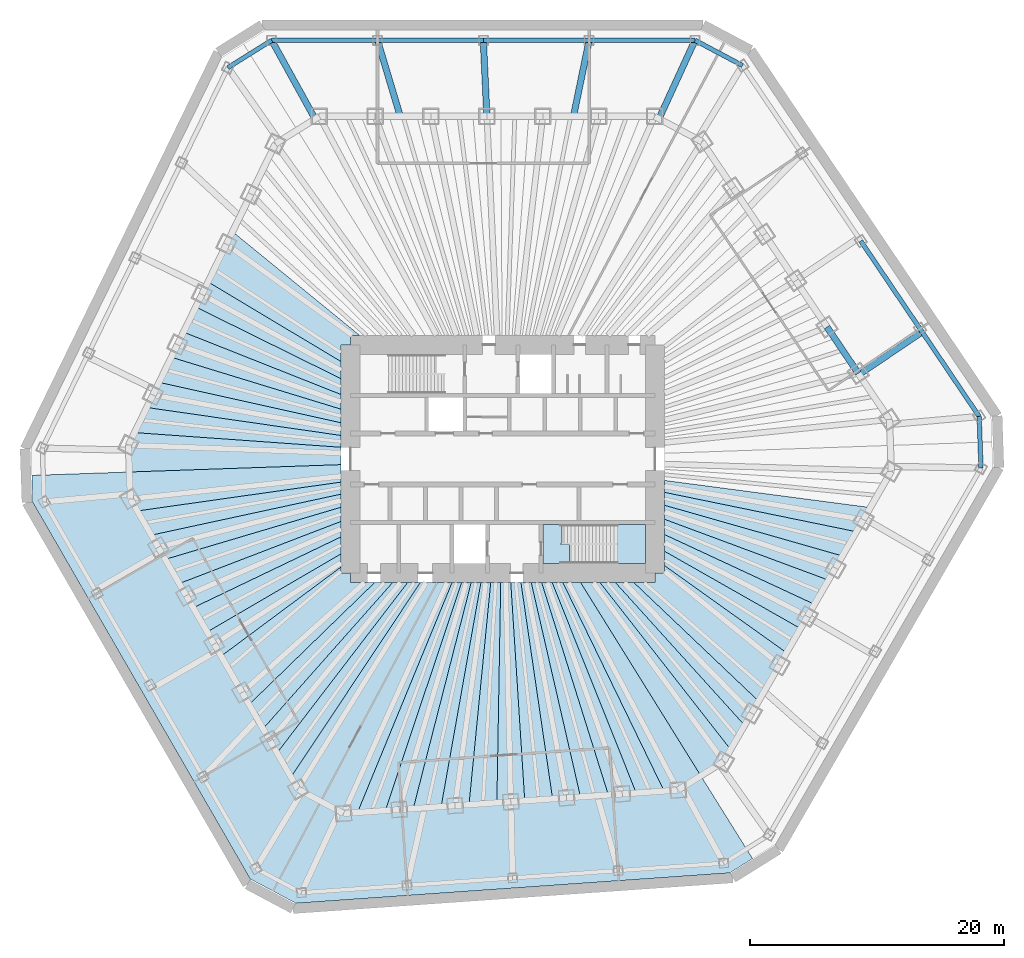
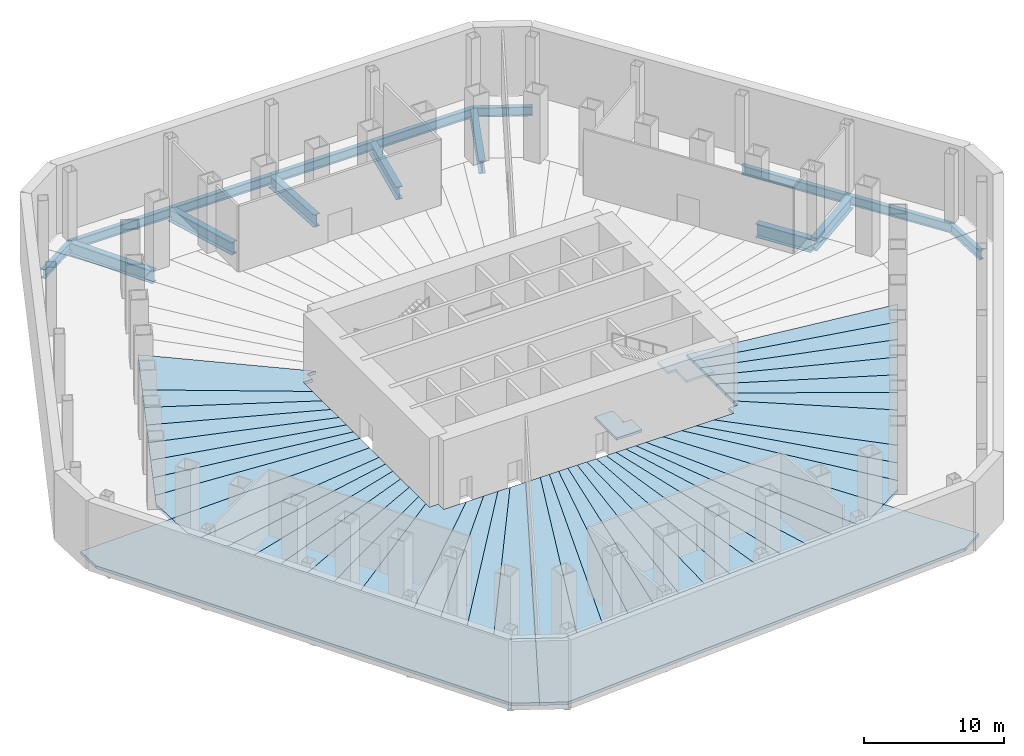
# One storey, part 4 of 8: 47 slabs, 16 beams, 1 element without a shape of its own.
"""IFC4 building model written with IfcOpenShell, lengths in metres."""

from ifc_helpers import new_model, si_unit, direction, frame, origin, origin_2d, place, context, subcontext, project, spatial, polyline, i_section, outline, extrude, material, layer, layer_set, material_profile, profile_set, type_object, element, aggregate, save


model = new_model("IFC4")

# Units and contexts
model_context = context("Model", 3, precision=1e-05, world=origin(), true_north=direction((0.0, 1.0)))
body_context = subcontext(model_context, "Body", "Model", "MODEL_VIEW")
ifc_project = project(units=[si_unit("LENGTHUNIT", "METRE"), si_unit("AREAUNIT", "SQUARE_METRE"), si_unit("VOLUMEUNIT", "CUBIC_METRE"), si_unit("PLANEANGLEUNIT", "RADIAN"), si_unit("MASSUNIT", "GRAM", prefix="KILO")], contexts=[model_context])

# Site, building, storey
site_placement = place(None, origin())
site = spatial("IfcSite", under=ifc_project, at=site_placement, CompositionType="ELEMENT")
building_placement = place(site_placement, origin())
building = spatial("IfcBuilding", under=site, at=building_placement, Name="Qingtian Harvest Tower", CompositionType="ELEMENT")
storey_placement = place(building_placement, frame((0.0, 0.0, -6.0)))
storey = spatial("IfcBuildingStorey", under=building, at=storey_placement, Name="B1", CompositionType="ELEMENT", Elevation=-6.0)

# Beams
ifc_material_1 = material(Name="Steel SM570MC", Category="steel")
ifc_material_profile_1 = material_profile(ifc_material_1, i_section(OverallWidth=0.5, OverallDepth=1.10009765625, WebThickness=0.02490234375, FlangeThickness=0.050048828125, at=origin_2d()), Name="H1100x500x25x50")
ifc_profile_set_1 = profile_set([ifc_material_profile_1], Name="Steel SM570MC")
beam_type_1 = type_object("IfcBeamType", Name="Floor beam FB6 H1100x500x25x50", PredefinedType="BEAM", material=ifc_profile_set_1)
beam_1_placement = place(storey_placement, frame((-18.220703125, 33.0, -0.800048828125), z_axis=(0.483365161377, -0.875418825915, 0.0), x_axis=(0.875418825915, 0.483365161377, 0.0)))
element("IfcBeam", 1, at=beam_1_placement, inside=storey, type_object=beam_type_1, Name="Podium floor beam FB6 N0", PredefinedType="BEAM", context=body_context, shape_type="SweptSolid", body=[
    extrude(i_section(OverallWidth=0.5, OverallDepth=1.10009765625, WebThickness=0.02490234375, FlangeThickness=0.050048828125, at=origin_2d()), origin(), (0.0, 0.0, 1.0), 7.08544921875),
])
beam_2_placement = place(storey_placement, frame((-9.87890625, 33.0, -0.800048828125), z_axis=(0.286782790718, -0.957995632009, 0.0), x_axis=(0.957995632009, 0.286782790718, 0.0)))
element("IfcBeam", 2, at=beam_2_placement, inside=storey, type_object=beam_type_1, Name="Podium floor beam FB6 N1", PredefinedType="BEAM", context=body_context, shape_type="SweptSolid", body=[
    extrude(i_section(OverallWidth=0.5, OverallDepth=1.10009765625, WebThickness=0.02490234375, FlangeThickness=0.050048828125, at=origin_2d()), origin(), (0.0, 0.0, 1.0), 6.26318359375),
])
beam_3_placement = place(storey_placement, frame((-1.537109375, 33.0, -0.800048828125), z_axis=(0.046539686109, -0.998916441759, 0.0), x_axis=(0.998916441759, 0.046539686109, 0.0)))
element("IfcBeam", 3, at=beam_3_placement, inside=storey, type_object=beam_type_1, Name="Podium floor beam FB6 N2", PredefinedType="BEAM", context=body_context, shape_type="SweptSolid", body=[
    extrude(i_section(OverallWidth=0.5, OverallDepth=1.10009765625, WebThickness=0.02490234375, FlangeThickness=0.050048828125, at=origin_2d()), origin(), (0.0, 0.0, 1.0), 6.006591796875),
])
beam_4_placement = place(storey_placement, frame((6.8046875, 33.0, -0.800048828125), z_axis=(-0.201967754187, -0.979392171844, 0.0), x_axis=(0.979392171844, -0.201967754187, 0.0)))
element("IfcBeam", 4, at=beam_4_placement, inside=storey, type_object=beam_type_1, Name="Podium floor beam FB6 N3", PredefinedType="BEAM", context=body_context, shape_type="SweptSolid", body=[
    extrude(i_section(OverallWidth=0.5, OverallDepth=1.10009765625, WebThickness=0.02490234375, FlangeThickness=0.050048828125, at=origin_2d()), origin(), (0.0, 0.0, 1.0), 6.126220703125),
])
beam_5_placement = place(storey_placement, frame((15.146484375, 33.0, -0.800048828125), z_axis=(-0.417153576737, -0.908836010189, 0.0), x_axis=(0.908836010189, -0.417153576737, 0.0)))
element("IfcBeam", 5, at=beam_5_placement, inside=storey, type_object=beam_type_1, Name="Podium floor beam FB6 N4", PredefinedType="BEAM", context=body_context, shape_type="SweptSolid", body=[
    extrude(i_section(OverallWidth=0.5, OverallDepth=1.10009765625, WebThickness=0.02490234375, FlangeThickness=0.050048828125, at=origin_2d()), origin(), (0.0, 0.0, 1.0), 6.80712890625),
])
beam_6_placement = place(storey_placement, frame((33.05029296875, 10.0146484375, -0.800048828125), z_axis=(-0.829039666934, -0.559189798414, 0.0), x_axis=(0.559189798414, -0.829039666934, 0.0)))
element("IfcBeam", 6, at=beam_6_placement, inside=storey, type_object=beam_type_1, Name="Podium floor beam FB6 NE3", PredefinedType="BEAM", context=body_context, shape_type="SweptSolid", body=[
    extrude(i_section(OverallWidth=0.5, OverallDepth=1.10009765625, WebThickness=0.02490234375, FlangeThickness=0.050048828125, at=origin_2d()), origin(), (0.0, 0.0, 1.0), 6.000244140625),
])
ifc_material_2 = material(Name="Steel SN490B", Category="steel")
ifc_material_profile_2 = material_profile(ifc_material_2, i_section(OverallWidth=0.35009765625, OverallDepth=0.800048828125, WebThickness=0.01611328125, FlangeThickness=0.028076171875, at=origin_2d()), Name="H800x350x16x28")
ifc_profile_set_2 = profile_set([ifc_material_profile_2], Name="Steel SN490B")
beam_type_2 = type_object("IfcBeamType", Name="Podium beam PB1 H800x350x16x28", PredefinedType="BEAM", material=ifc_profile_set_2)
for number, where, z_axis, x_axis, name in (
    (7, (-18.220703125, 33.0, -0.64990234375), (1.0, 0.0, 0.0), (0.0, 1.0, 0.0), "Podium edge beam PB1 N0"),
    (8, (-9.87890625, 33.0, -0.64990234375), (1.0, 0.0, 0.0), (0.0, 1.0, 0.0), "Podium edge beam PB1 N1"),
    (9, (-1.537109375, 33.0, -0.64990234375), (1.0, 0.0, 0.0), (0.0, 1.0, 0.0), "Podium edge beam PB1 N2"),
    (10, (6.8046875, 33.0, -0.64990234375), (1.0, 0.0, 0.0), (0.0, 1.0, 0.0), "Podium edge beam PB1 N3"),
):
    element("IfcBeam", number, at=place(storey_placement, frame(where, z_axis=z_axis, x_axis=x_axis)), inside=storey, type_object=beam_type_2, Name=name, PredefinedType="BEAM", context=body_context, shape_type="SweptSolid", body=[
        extrude(i_section(OverallWidth=0.35009765625, OverallDepth=0.800048828125, WebThickness=0.01611328125, FlangeThickness=0.028076171875, at=origin_2d()), origin(), (0.0, 0.0, 1.0), 8.341796875),
    ])
beam_7_placement = place(storey_placement, frame((15.146484375, 33.0, -0.64990234375), z_axis=(0.882935902835, -0.469493547863, 0.0), x_axis=(0.469493547863, 0.882935902835, 0.0)))
element("IfcBeam", 11, at=beam_7_placement, inside=storey, type_object=beam_type_2, Name="Podium edge beam PB1 N4", PredefinedType="BEAM", context=body_context, shape_type="SweptSolid", body=[
    extrude(i_section(OverallWidth=0.35009765625, OverallDepth=0.800048828125, WebThickness=0.01611328125, FlangeThickness=0.028076171875, at=origin_2d()), origin(), (0.0, 0.0, 1.0), 4.238037109375),
])
for number, where, z_axis, x_axis, name in (
    (12, (28.2177734375, 17.178955078125, -0.64990234375), (0.559210439086, -0.829025744363, 0.0), (0.829025744363, 0.559210439086, 0.0), "Podium edge beam PB1 NE2"),
    (13, (32.882568359375, 10.263427734375, -0.64990234375), (0.559176755628, -0.829048464183, 0.0), (0.829048464183, 0.559176755628, 0.0), "Podium edge beam PB1 NE3"),
):
    element("IfcBeam", number, at=place(storey_placement, frame(where, z_axis=z_axis, x_axis=x_axis)), inside=storey, type_object=beam_type_2, Name=name, PredefinedType="BEAM", context=body_context, shape_type="SweptSolid", body=[
        extrude(i_section(OverallWidth=0.35009765625, OverallDepth=0.800048828125, WebThickness=0.01611328125, FlangeThickness=0.028076171875, at=origin_2d()), origin(), (0.0, 0.0, 1.0), 8.341796875),
    ])
beam_8_placement = place(storey_placement, frame((37.547119140625, 3.34765625, -0.64990234375), z_axis=(0.03490639867, -0.999390585973, 0.0), x_axis=(0.999390585973, 0.03490639867, 0.0)))
element("IfcBeam", 14, at=beam_8_placement, inside=storey, type_object=beam_type_2, Name="Podium edge beam PB1 NE4", PredefinedType="BEAM", context=body_context, shape_type="SweptSolid", body=[
    extrude(i_section(OverallWidth=0.35009765625, OverallDepth=0.800048828125, WebThickness=0.01611328125, FlangeThickness=0.028076171875, at=origin_2d()), origin(), (0.0, 0.0, 1.0), 4.070556640625),
])
beam_9_placement = place(storey_placement, frame((-21.6728515625, 30.8427734375, -0.64990234375), z_axis=(0.848038733752, 0.529934246919, 0.0), x_axis=(-0.529934246919, 0.848038733752, 0.0)))
element("IfcBeam", 15, at=beam_9_placement, inside=storey, type_object=beam_type_2, Name="Podium edge beam PB1 NW4", PredefinedType="BEAM", context=body_context, shape_type="SweptSolid", body=[
    extrude(i_section(OverallWidth=0.35009765625, OverallDepth=0.800048828125, WebThickness=0.01611328125, FlangeThickness=0.028076171875, at=origin_2d()), origin(), (0.0, 0.0, 1.0), 4.07080078125),
])
ifc_material_3 = material(Name="Steel SM570MC", Category="steel")
ifc_material_profile_3 = material_profile(ifc_material_3, i_section(OverallWidth=0.5, OverallDepth=1.199951171875, WebThickness=0.02490234375, FlangeThickness=0.050048828125, at=origin_2d()), Name="H1200x500x25x50")
ifc_profile_set_3 = profile_set([ifc_material_profile_3], Name="Steel SM570MC")
beam_type_3 = type_object("IfcBeamType", Name="Spandrel beam SB1 H1200x500x25x50", PredefinedType="SPANDREL", material=ifc_profile_set_3)
beam_10_placement = place(storey_placement, frame((25.55029296875, 10.404052734375, -0.85009765625), z_axis=(0.559207231603, -0.829027907928, 0.0), x_axis=(0.829027907928, 0.559207231603, 0.0)))
element("IfcBeam", 16, at=beam_10_placement, inside=storey, type_object=beam_type_3, Name="Spandrel SB1 NE4", PredefinedType="SPANDREL", context=body_context, shape_type="SweptSolid", body=[
    extrude(i_section(OverallWidth=0.5, OverallDepth=1.199951171875, WebThickness=0.02490234375, FlangeThickness=0.050048828125, at=origin_2d()), origin(), (0.0, 0.0, 1.0), 4.40478515625),
])

# Slabs
ifc_material_4 = material(Name="Concrete fc' 35 MPa", Category="concrete")
ifc_layer_1 = layer(ifc_material_4, 0.25)
ifc_layer_set_1 = layer_set([ifc_layer_1], Name="Composite floor slab FS25 250")
slab_type_1 = type_object("IfcSlabType", Name="Composite floor slab FS25 250", PredefinedType="FLOOR", material=ifc_layer_set_1)
slab_1_placement = place(storey_placement, frame((0.0, 0.0, -0.25)))
element("IfcSlab", 17, at=slab_1_placement, inside=storey, type_object=slab_type_1, Name="Floor slab B1 panel DPS", PredefinedType="FLOOR", context=body_context, shape_type="SweptSolid", body=[
    extrude(outline(polyline([(-18.1142578125, -34.068115234375), (-14.349853515625, -26.98828125), (-12.552734375, -27.943603515625), (13.810546875, -26.10009765625), (15.607421875, -24.977294921875), (19.688720703125, -31.508544921875), (17.8916015625, -32.63134765625), (-16.317138671875, -35.0234375), (-18.1142578125, -34.068115234375)])), origin(), (0.0, 0.0, 1.0), 0.25),
])
slab_2_placement = place(storey_placement, frame((0.0, 0.0, -0.25)))
element("IfcSlab", 18, at=slab_2_placement, inside=storey, type_object=slab_type_1, Name="Floor slab B1 panel DPSW", PredefinedType="FLOOR", context=body_context, shape_type="SweptSolid", body=[
    extrude(outline(polyline([(-37.131591796875, -1.296630859375), (-29.434814453125, -1.02783203125), (-29.36083984375, -3.145751953125), (-16.14697265625, -26.03271484375), (-14.349853515625, -26.98828125), (-18.1142578125, -34.068115234375), (-19.911376953125, -33.112548828125), (-37.0576171875, -3.41455078125), (-37.131591796875, -1.296630859375)])), origin(), (0.0, 0.0, 1.0), 0.25),
])
slab_3_placement = place(storey_placement, frame((0.0, 0.0, -0.25)))
element("IfcSlab", 19, at=slab_3_placement, inside=storey, type_object=slab_type_1, Name="Floor slab B1 panel D01", PredefinedType="FLOOR", context=body_context, shape_type="SweptSolid", body=[
    extrude(outline(polyline([(-12.75, -0.447509765625), (-12.75, -1.822998046875), (-28.810302734375, -4.099365234375), (-29.36083984375, -3.145751953125), (-29.434814453125, -1.02783203125), (-12.75, -0.447509765625)])), origin(), (0.0, 0.0, 1.0), 0.25),
])
slab_4_placement = place(storey_placement, frame((0.0, 0.0, -0.25)))
element("IfcSlab", 20, at=slab_4_placement, inside=storey, type_object=slab_type_1, Name="Floor slab B1 panel D02", PredefinedType="FLOOR", context=body_context, shape_type="SweptSolid", body=[
    extrude(outline(polyline([(-12.75, -2.773681640625), (-27.708984375, -6.006591796875), (-28.810302734375, -4.099365234375), (-12.75, -1.822998046875), (-12.75, -2.773681640625)])), origin(), (0.0, 0.0, 1.0), 0.25),
])
slab_5_placement = place(storey_placement, frame((0.0, 0.0, -0.25)))
element("IfcSlab", 21, at=slab_5_placement, inside=storey, type_object=slab_type_1, Name="Floor slab B1 panel D03", PredefinedType="FLOOR", context=body_context, shape_type="SweptSolid", body=[
    extrude(outline(polyline([(-12.75, -3.80322265625), (-26.60791015625, -7.913818359375), (-27.708984375, -6.006591796875), (-12.75, -2.773681640625), (-12.75, -3.80322265625)])), origin(), (0.0, 0.0, 1.0), 0.25),
])
slab_6_placement = place(storey_placement, frame((0.0, 0.0, -0.25)))
element("IfcSlab", 22, at=slab_6_placement, inside=storey, type_object=slab_type_1, Name="Floor slab B1 panel D04", PredefinedType="FLOOR", context=body_context, shape_type="SweptSolid", body=[
    extrude(outline(polyline([(-12.75, -4.921875), (-25.5068359375, -9.821044921875), (-26.60791015625, -7.913818359375), (-12.75, -3.80322265625), (-12.75, -4.921875)])), origin(), (0.0, 0.0, 1.0), 0.25),
])
slab_7_placement = place(storey_placement, frame((0.0, 0.0, -0.25)))
element("IfcSlab", 23, at=slab_7_placement, inside=storey, type_object=slab_type_1, Name="Floor slab B1 panel D05", PredefinedType="FLOOR", context=body_context, shape_type="SweptSolid", body=[
    extrude(outline(polyline([(-12.75, -6.141357421875), (-24.405517578125, -11.728271484375), (-25.5068359375, -9.821044921875), (-12.75, -4.921875), (-12.75, -6.141357421875)])), origin(), (0.0, 0.0, 1.0), 0.25),
])
slab_8_placement = place(storey_placement, frame((0.0, 0.0, -0.25)))
element("IfcSlab", 24, at=slab_8_placement, inside=storey, type_object=slab_type_1, Name="Floor slab B1 panel D06", PredefinedType="FLOOR", context=body_context, shape_type="SweptSolid", body=[
    extrude(outline(polyline([(-12.75, -7.4765625), (-23.304443359375, -13.635498046875), (-24.405517578125, -11.728271484375), (-12.75, -6.141357421875), (-12.75, -7.4765625)])), origin(), (0.0, 0.0, 1.0), 0.25),
])
slab_9_placement = place(storey_placement, frame((0.0, 0.0, -0.25)))
element("IfcSlab", 25, at=slab_9_placement, inside=storey, type_object=slab_type_1, Name="Floor slab B1 panel D07", PredefinedType="FLOOR", context=body_context, shape_type="SweptSolid", body=[
    extrude(outline(polyline([(-12.75, -8.512451171875), (-22.203369140625, -15.542724609375), (-23.304443359375, -13.635498046875), (-12.75, -7.4765625), (-12.75, -8.512451171875)])), origin(), (0.0, 0.0, 1.0), 0.25),
])
slab_10_placement = place(storey_placement, frame((0.0, 0.0, -0.25)))
element("IfcSlab", 26, at=slab_10_placement, inside=storey, type_object=slab_type_1, Name="Floor slab B1 panel D09", PredefinedType="FLOOR", context=body_context, shape_type="SweptSolid", body=[
    extrude(outline(polyline([(-20.0009765625, -19.357177734375), (-22.203369140625, -15.542724609375), (-12.75, -8.512451171875), (-12.75, -9.0), (-12.0, -9.0), (-12.0, -9.75), (-10.1123046875, -9.75), (-20.0009765625, -19.357177734375)])), origin(), (0.0, 0.0, 1.0), 0.25),
])
slab_11_placement = place(storey_placement, frame((0.0, 0.0, -0.25)))
element("IfcSlab", 27, at=slab_11_placement, inside=storey, type_object=slab_type_1, Name="Floor slab B1 panel D10", PredefinedType="FLOOR", context=body_context, shape_type="SweptSolid", body=[
    extrude(outline(polyline([(-8.694580078125, -9.75), (-18.89990234375, -21.2646484375), (-20.0009765625, -19.357177734375), (-10.1123046875, -9.75), (-8.694580078125, -9.75)])), origin(), (0.0, 0.0, 1.0), 0.25),
])
slab_12_placement = place(storey_placement, frame((0.0, 0.0, -0.25)))
element("IfcSlab", 28, at=slab_12_placement, inside=storey, type_object=slab_type_1, Name="Floor slab B1 panel D11", PredefinedType="FLOOR", context=body_context, shape_type="SweptSolid", body=[
    extrude(outline(polyline([(-7.511474609375, -9.75), (-17.798583984375, -23.171875), (-18.89990234375, -21.2646484375), (-8.694580078125, -9.75), (-7.511474609375, -9.75)])), origin(), (0.0, 0.0, 1.0), 0.25),
])
slab_13_placement = place(storey_placement, frame((0.0, 0.0, -0.25)))
element("IfcSlab", 29, at=slab_13_placement, inside=storey, type_object=slab_type_1, Name="Floor slab B1 panel D12", PredefinedType="FLOOR", context=body_context, shape_type="SweptSolid", body=[
    extrude(outline(polyline([(-6.509033203125, -9.75), (-16.697509765625, -25.0791015625), (-17.798583984375, -23.171875), (-7.511474609375, -9.75), (-6.509033203125, -9.75)])), origin(), (0.0, 0.0, 1.0), 0.25),
])
slab_14_placement = place(storey_placement, frame((0.0, 0.0, -0.25)))
element("IfcSlab", 30, at=slab_14_placement, inside=storey, type_object=slab_type_1, Name="Floor slab B1 panel D13", PredefinedType="FLOOR", context=body_context, shape_type="SweptSolid", body=[
    extrude(outline(polyline([(-6.509033203125, -9.75), (-5.213623046875, -9.75), (-14.349853515625, -26.98828125), (-16.14697265625, -26.03271484375), (-16.697509765625, -25.0791015625), (-6.509033203125, -9.75)])), origin(), (0.0, 0.0, 1.0), 0.25),
])
slab_15_placement = place(storey_placement, frame((0.0, 0.0, -0.25)))
element("IfcSlab", 31, at=slab_15_placement, inside=storey, type_object=slab_type_1, Name="Floor slab B1 panel D14", PredefinedType="FLOOR", context=body_context, shape_type="SweptSolid", body=[
    extrude(outline(polyline([(-5.213623046875, -9.75), (-4.006591796875, -9.75), (-11.454345703125, -27.866943359375), (-12.552734375, -27.943603515625), (-14.349853515625, -26.98828125), (-5.213623046875, -9.75)])), origin(), (0.0, 0.0, 1.0), 0.25),
])
slab_16_placement = place(storey_placement, frame((0.0, 0.0, -0.25)))
element("IfcSlab", 32, at=slab_16_placement, inside=storey, type_object=slab_type_1, Name="Floor slab B1 panel D15", PredefinedType="FLOOR", context=body_context, shape_type="SweptSolid", body=[
    extrude(outline(polyline([(-3.255859375, -9.75), (-9.25732421875, -27.71337890625), (-11.454345703125, -27.866943359375), (-4.006591796875, -9.75), (-3.255859375, -9.75)])), origin(), (0.0, 0.0, 1.0), 0.25),
])
slab_17_placement = place(storey_placement, frame((0.0, 0.0, -0.25)))
element("IfcSlab", 33, at=slab_17_placement, inside=storey, type_object=slab_type_1, Name="Floor slab B1 panel D16", PredefinedType="FLOOR", context=body_context, shape_type="SweptSolid", body=[
    extrude(outline(polyline([(-2.496826171875, -9.75), (-7.060546875, -27.5595703125), (-9.25732421875, -27.71337890625), (-3.255859375, -9.75), (-2.496826171875, -9.75)])), origin(), (0.0, 0.0, 1.0), 0.25),
])
slab_18_placement = place(storey_placement, frame((0.0, 0.0, -0.25)))
element("IfcSlab", 34, at=slab_18_placement, inside=storey, type_object=slab_type_1, Name="Floor slab B1 panel D17", PredefinedType="FLOOR", context=body_context, shape_type="SweptSolid", body=[
    extrude(outline(polyline([(-1.729248046875, -9.75), (-4.863525390625, -27.406005859375), (-7.060546875, -27.5595703125), (-2.496826171875, -9.75), (-1.729248046875, -9.75)])), origin(), (0.0, 0.0, 1.0), 0.25),
])
slab_19_placement = place(storey_placement, frame((0.0, 0.0, -0.25)))
element("IfcSlab", 35, at=slab_19_placement, inside=storey, type_object=slab_type_1, Name="Floor slab B1 panel D18", PredefinedType="FLOOR", context=body_context, shape_type="SweptSolid", body=[
    extrude(outline(polyline([(-0.952880859375, -9.75), (-2.66650390625, -27.25244140625), (-4.863525390625, -27.406005859375), (-1.729248046875, -9.75), (-0.952880859375, -9.75)])), origin(), (0.0, 0.0, 1.0), 0.25),
])
slab_20_placement = place(storey_placement, frame((0.0, 0.0, -0.25)))
element("IfcSlab", 36, at=slab_20_placement, inside=storey, type_object=slab_type_1, Name="Floor slab B1 panel D19", PredefinedType="FLOOR", context=body_context, shape_type="SweptSolid", body=[
    extrude(outline(polyline([(-0.16796875, -9.75), (-0.4697265625, -27.098876953125), (-2.66650390625, -27.25244140625), (-0.952880859375, -9.75), (-0.16796875, -9.75)])), origin(), (0.0, 0.0, 1.0), 0.25),
])
slab_21_placement = place(storey_placement, frame((0.0, 0.0, -0.25)))
element("IfcSlab", 37, at=slab_21_placement, inside=storey, type_object=slab_type_1, Name="Floor slab B1 panel D20", PredefinedType="FLOOR", context=body_context, shape_type="SweptSolid", body=[
    extrude(outline(polyline([(0.626220703125, -9.75), (1.727294921875, -26.945068359375), (-0.4697265625, -27.098876953125), (-0.16796875, -9.75), (0.626220703125, -9.75)])), origin(), (0.0, 0.0, 1.0), 0.25),
])
slab_22_placement = place(storey_placement, frame((0.0, 0.0, -0.25)))
element("IfcSlab", 38, at=slab_22_placement, inside=storey, type_object=slab_type_1, Name="Floor slab B1 panel D21", PredefinedType="FLOOR", context=body_context, shape_type="SweptSolid", body=[
    extrude(outline(polyline([(1.42919921875, -9.75), (3.92431640625, -26.79150390625), (1.727294921875, -26.945068359375), (0.626220703125, -9.75), (1.42919921875, -9.75)])), origin(), (0.0, 0.0, 1.0), 0.25),
])
slab_23_placement = place(storey_placement, frame((0.0, 0.0, -0.25)))
element("IfcSlab", 39, at=slab_23_placement, inside=storey, type_object=slab_type_1, Name="Floor slab B1 panel D22", PredefinedType="FLOOR", context=body_context, shape_type="SweptSolid", body=[
    extrude(outline(polyline([(2.24169921875, -9.75), (6.12109375, -26.637939453125), (3.92431640625, -26.79150390625), (1.42919921875, -9.75), (2.24169921875, -9.75)])), origin(), (0.0, 0.0, 1.0), 0.25),
])
slab_24_placement = place(storey_placement, frame((0.0, 0.0, -0.25)))
element("IfcSlab", 40, at=slab_24_placement, inside=storey, type_object=slab_type_1, Name="Floor slab B1 panel D23", PredefinedType="FLOOR", context=body_context, shape_type="SweptSolid", body=[
    extrude(outline(polyline([(3.0634765625, -9.75), (8.318115234375, -26.484375), (6.12109375, -26.637939453125), (2.24169921875, -9.75), (3.0634765625, -9.75)])), origin(), (0.0, 0.0, 1.0), 0.25),
])
slab_25_placement = place(storey_placement, frame((0.0, 0.0, -0.25)))
element("IfcSlab", 41, at=slab_25_placement, inside=storey, type_object=slab_type_1, Name="Floor slab B1 panel D24", PredefinedType="FLOOR", context=body_context, shape_type="SweptSolid", body=[
    extrude(outline(polyline([(3.894775390625, -9.75), (10.51513671875, -26.33056640625), (8.318115234375, -26.484375), (3.0634765625, -9.75), (3.894775390625, -9.75)])), origin(), (0.0, 0.0, 1.0), 0.25),
])
slab_26_placement = place(storey_placement, frame((0.0, 0.0, -0.25)))
element("IfcSlab", 42, at=slab_26_placement, inside=storey, type_object=slab_type_1, Name="Floor slab B1 panel D25", PredefinedType="FLOOR", context=body_context, shape_type="SweptSolid", body=[
    extrude(outline(polyline([(4.736083984375, -9.75), (12.7119140625, -26.177001953125), (10.51513671875, -26.33056640625), (3.894775390625, -9.75), (4.736083984375, -9.75)])), origin(), (0.0, 0.0, 1.0), 0.25),
])
slab_27_placement = place(storey_placement, frame((0.0, 0.0, -0.25)))
element("IfcSlab", 43, at=slab_27_placement, inside=storey, type_object=slab_type_1, Name="Floor slab B1 panel D26", PredefinedType="FLOOR", context=body_context, shape_type="SweptSolid", body=[
    extrude(outline(polyline([(4.736083984375, -9.75), (6.136474609375, -9.75), (15.607421875, -24.977294921875), (13.810546875, -26.10009765625), (12.7119140625, -26.177001953125), (4.736083984375, -9.75)])), origin(), (0.0, 0.0, 1.0), 0.25),
])
slab_28_placement = place(storey_placement, frame((0.0, 0.0, -0.25)))
element("IfcSlab", 44, at=slab_28_placement, inside=storey, type_object=slab_type_1, Name="Floor slab B1 panel D27", PredefinedType="FLOOR", context=body_context, shape_type="SweptSolid", body=[
    extrude(outline(polyline([(6.136474609375, -9.75), (7.66748046875, -9.75), (17.955078125, -22.900634765625), (17.404541015625, -23.854248046875), (15.607421875, -24.977294921875), (6.136474609375, -9.75)])), origin(), (0.0, 0.0, 1.0), 0.25),
])
slab_29_placement = place(storey_placement, frame((0.0, 0.0, -0.25)))
element("IfcSlab", 45, at=slab_29_placement, inside=storey, type_object=slab_type_1, Name="Floor slab B1 panel D28", PredefinedType="FLOOR", context=body_context, shape_type="SweptSolid", body=[
    extrude(outline(polyline([(8.88037109375, -9.75), (19.056396484375, -20.993408203125), (17.955078125, -22.900634765625), (7.66748046875, -9.75), (8.88037109375, -9.75)])), origin(), (0.0, 0.0, 1.0), 0.25),
])
slab_30_placement = place(storey_placement, frame((0.0, 0.0, -0.25)))
element("IfcSlab", 46, at=slab_30_placement, inside=storey, type_object=slab_type_1, Name="Floor slab B1 panel D29", PredefinedType="FLOOR", context=body_context, shape_type="SweptSolid", body=[
    extrude(outline(polyline([(10.337158203125, -9.75), (20.157470703125, -19.086181640625), (19.056396484375, -20.993408203125), (8.88037109375, -9.75), (10.337158203125, -9.75)])), origin(), (0.0, 0.0, 1.0), 0.25),
])
slab_31_placement = place(storey_placement, frame((0.0, 0.0, -0.25)))
element("IfcSlab", 47, at=slab_31_placement, inside=storey, type_object=slab_type_1, Name="Floor slab B1 panel D31", PredefinedType="FLOOR", context=body_context, shape_type="SweptSolid", body=[
    extrude(outline(polyline([(12.75, -8.4091796875), (22.35986328125, -15.271728515625), (20.157470703125, -19.086181640625), (10.337158203125, -9.75), (12.0, -9.75), (12.0, -9.0), (12.75, -9.0), (12.75, -8.4091796875)])), origin(), (0.0, 0.0, 1.0), 0.25),
])
slab_32_placement = place(storey_placement, frame((0.0, 0.0, -0.25)))
element("IfcSlab", 48, at=slab_32_placement, inside=storey, type_object=slab_type_1, Name="Floor slab B1 panel D32", PredefinedType="FLOOR", context=body_context, shape_type="SweptSolid", body=[
    extrude(outline(polyline([(12.75, -7.279052734375), (23.4609375, -13.364501953125), (22.35986328125, -15.271728515625), (12.75, -8.4091796875), (12.75, -7.279052734375)])), origin(), (0.0, 0.0, 1.0), 0.25),
])
slab_33_placement = place(storey_placement, frame((0.0, 0.0, -0.25)))
element("IfcSlab", 49, at=slab_33_placement, inside=storey, type_object=slab_type_1, Name="Floor slab B1 panel D33", PredefinedType="FLOOR", context=body_context, shape_type="SweptSolid", body=[
    extrude(outline(polyline([(12.75, -5.96142578125), (24.56201171875, -11.457275390625), (23.4609375, -13.364501953125), (12.75, -7.279052734375), (12.75, -5.96142578125)])), origin(), (0.0, 0.0, 1.0), 0.25),
])
slab_34_placement = place(storey_placement, frame((0.0, 0.0, -0.25)))
element("IfcSlab", 50, at=slab_34_placement, inside=storey, type_object=slab_type_1, Name="Floor slab B1 panel D34", PredefinedType="FLOOR", context=body_context, shape_type="SweptSolid", body=[
    extrude(outline(polyline([(12.75, -4.757080078125), (25.663330078125, -9.550048828125), (24.56201171875, -11.457275390625), (12.75, -5.96142578125), (12.75, -4.757080078125)])), origin(), (0.0, 0.0, 1.0), 0.25),
])
slab_35_placement = place(storey_placement, frame((0.0, 0.0, -0.25)))
element("IfcSlab", 51, at=slab_35_placement, inside=storey, type_object=slab_type_1, Name="Floor slab B1 panel D35", PredefinedType="FLOOR", context=body_context, shape_type="SweptSolid", body=[
    extrude(outline(polyline([(12.75, -3.651611328125), (26.764404296875, -7.642822265625), (25.663330078125, -9.550048828125), (12.75, -4.757080078125), (12.75, -3.651611328125)])), origin(), (0.0, 0.0, 1.0), 0.25),
])
slab_36_placement = place(storey_placement, frame((0.0, 0.0, -0.25)))
element("IfcSlab", 52, at=slab_36_placement, inside=storey, type_object=slab_type_1, Name="Floor slab B1 panel D36", PredefinedType="FLOOR", context=body_context, shape_type="SweptSolid", body=[
    extrude(outline(polyline([(12.75, -2.634033203125), (27.865478515625, -5.7353515625), (26.764404296875, -7.642822265625), (12.75, -3.651611328125), (12.75, -2.634033203125)])), origin(), (0.0, 0.0, 1.0), 0.25),
])
slab_37_placement = place(storey_placement, frame((0.0, 0.0, -0.25)))
element("IfcSlab", 53, at=slab_37_placement, inside=storey, type_object=slab_type_1, Name="Floor slab B1 panel D37", PredefinedType="FLOOR", context=body_context, shape_type="SweptSolid", body=[
    extrude(outline(polyline([(12.75, -1.693603515625), (28.966796875, -3.828125), (27.865478515625, -5.7353515625), (12.75, -2.634033203125), (12.75, -1.693603515625)])), origin(), (0.0, 0.0, 1.0), 0.25),
])
slab_38_placement = place(storey_placement, frame((0.0, 0.0, -0.25)))
element("IfcSlab", 54, at=slab_38_placement, inside=storey, type_object=slab_type_1, Name="Floor slab B1 panel D70", PredefinedType="FLOOR", context=body_context, shape_type="SweptSolid", body=[
    extrude(outline(polyline([(-12.0, 9.0), (-12.75, 9.0), (-12.75, 7.67333984375), (-23.2333984375, 13.9560546875), (-21.302490234375, 17.9150390625), (-11.2939453125, 9.75), (-12.0, 9.75), (-12.0, 9.0)])), origin(), (0.0, 0.0, 1.0), 0.25),
])
slab_39_placement = place(storey_placement, frame((0.0, 0.0, -0.25)))
element("IfcSlab", 55, at=slab_39_placement, inside=storey, type_object=slab_type_1, Name="Floor slab B1 panel D72", PredefinedType="FLOOR", context=body_context, shape_type="SweptSolid", body=[
    extrude(outline(polyline([(-12.75, 6.3232421875), (-24.19873046875, 11.976806640625), (-23.2333984375, 13.9560546875), (-12.75, 7.67333984375), (-12.75, 6.3232421875)])), origin(), (0.0, 0.0, 1.0), 0.25),
])
slab_40_placement = place(storey_placement, frame((0.0, 0.0, -0.25)))
element("IfcSlab", 56, at=slab_40_placement, inside=storey, type_object=slab_type_1, Name="Floor slab B1 panel D73", PredefinedType="FLOOR", context=body_context, shape_type="SweptSolid", body=[
    extrude(outline(polyline([(-12.75, 5.076904296875), (-25.164306640625, 9.997314453125), (-24.19873046875, 11.976806640625), (-12.75, 6.3232421875), (-12.75, 5.076904296875)])), origin(), (0.0, 0.0, 1.0), 0.25),
])
slab_41_placement = place(storey_placement, frame((0.0, 0.0, -0.25)))
element("IfcSlab", 57, at=slab_41_placement, inside=storey, type_object=slab_type_1, Name="Floor slab B1 panel D74", PredefinedType="FLOOR", context=body_context, shape_type="SweptSolid", body=[
    extrude(outline(polyline([(-12.75, 3.922607421875), (-26.129638671875, 8.017822265625), (-25.164306640625, 9.997314453125), (-12.75, 5.076904296875), (-12.75, 3.922607421875)])), origin(), (0.0, 0.0, 1.0), 0.25),
])
slab_42_placement = place(storey_placement, frame((0.0, 0.0, -0.25)))
element("IfcSlab", 58, at=slab_42_placement, inside=storey, type_object=slab_type_1, Name="Floor slab B1 panel D75", PredefinedType="FLOOR", context=body_context, shape_type="SweptSolid", body=[
    extrude(outline(polyline([(-12.75, 2.8505859375), (-27.09521484375, 6.038330078125), (-26.129638671875, 8.017822265625), (-12.75, 3.922607421875), (-12.75, 2.8505859375)])), origin(), (0.0, 0.0, 1.0), 0.25),
])
slab_43_placement = place(storey_placement, frame((0.0, 0.0, -0.25)))
element("IfcSlab", 59, at=slab_43_placement, inside=storey, type_object=slab_type_1, Name="Floor slab B1 panel D76", PredefinedType="FLOOR", context=body_context, shape_type="SweptSolid", body=[
    extrude(outline(polyline([(-12.75, 1.8525390625), (-28.060546875, 4.05908203125), (-27.09521484375, 6.038330078125), (-12.75, 2.8505859375), (-12.75, 1.8525390625)])), origin(), (0.0, 0.0, 1.0), 0.25),
])
slab_44_placement = place(storey_placement, frame((0.0, 0.0, -0.25)))
element("IfcSlab", 60, at=slab_44_placement, inside=storey, type_object=slab_type_1, Name="Floor slab B1 panel D77", PredefinedType="FLOOR", context=body_context, shape_type="SweptSolid", body=[
    extrude(outline(polyline([(-12.75, 0.9208984375), (-29.02587890625, 2.07958984375), (-28.060546875, 4.05908203125), (-12.75, 1.8525390625), (-12.75, 0.9208984375)])), origin(), (0.0, 0.0, 1.0), 0.25),
])
slab_45_placement = place(storey_placement, frame((0.0, 0.0, -0.25)))
element("IfcSlab", 61, at=slab_45_placement, inside=storey, type_object=slab_type_1, Name="Floor slab B1 panel D78", PredefinedType="FLOOR", context=body_context, shape_type="SweptSolid", body=[
    extrude(outline(polyline([(-12.75, 0.9208984375), (-12.75, -0.447509765625), (-29.434814453125, -1.02783203125), (-29.5087890625, 1.08984375), (-29.02587890625, 2.07958984375), (-12.75, 0.9208984375)])), origin(), (0.0, 0.0, 1.0), 0.25),
])

# Stair, slabs
ifc_material_5 = material(Name="Concrete fc' 35 MPa", Category="concrete")
stair_type = type_object("IfcStairType", Name="Special stair ST1 6000", PredefinedType="HALF_TURN_STAIR", material=ifc_material_5)
stair_placement = place(storey_placement, origin())
stair = element("IfcStair", 62, at=stair_placement, inside=storey, type_object=stair_type, Name="Special stair S2 B1", PredefinedType="HALF_TURN_STAIR")
ifc_material_6 = material(Name="Concrete fc' 35 MPa", Category="concrete")
ifc_layer_2 = layer(ifc_material_6, 0.199951171875)
ifc_layer_set_2 = layer_set([ifc_layer_2], Name="Stair landing SL2 200")
slab_type_2 = type_object("IfcSlabType", Name="Stair landing SL2 200", PredefinedType="LANDING", material=ifc_layer_set_2)
slab_46_placement = place(storey_placement, frame((0.0, 0.0, -0.199951171875)))
slab_46 = element("IfcSlab", 63, at=slab_46_placement, type_object=slab_type_2, Name="S2 landing 1", PredefinedType="LANDING", context=body_context, shape_type="SweptSolid", body=[
    extrude(outline(polyline([(5.260009765625, -8.25), (3.14990234375, -8.25), (3.14990234375, -5.14990234375), (4.64990234375, -5.14990234375), (4.64990234375, -6.64990234375), (4.550048828125, -6.64990234375), (4.550048828125, -6.75), (5.260009765625, -6.75), (5.260009765625, -8.25)])), origin(), (0.0, 0.0, 1.0), 0.199951171875),
])
slab_47_placement = place(storey_placement, frame((0.0, 0.0, 2.800048828125)))
slab_47 = element("IfcSlab", 64, at=slab_47_placement, type_object=slab_type_2, Name="S2 landing 2", PredefinedType="LANDING", context=body_context, shape_type="SweptSolid", body=[
    extrude(outline(polyline([(8.929931640625, -8.25), (8.929931640625, -6.75), (9.030029296875, -6.75), (9.030029296875, -6.64990234375), (8.320068359375, -6.64990234375), (8.320068359375, -5.14990234375), (11.25, -5.14990234375), (11.25, -8.25), (8.929931640625, -8.25)])), origin(), (0.0, 0.0, 1.0), 0.199951171875),
])
aggregate(stair, [slab_46, slab_47])

save(model, "model.ifc")
